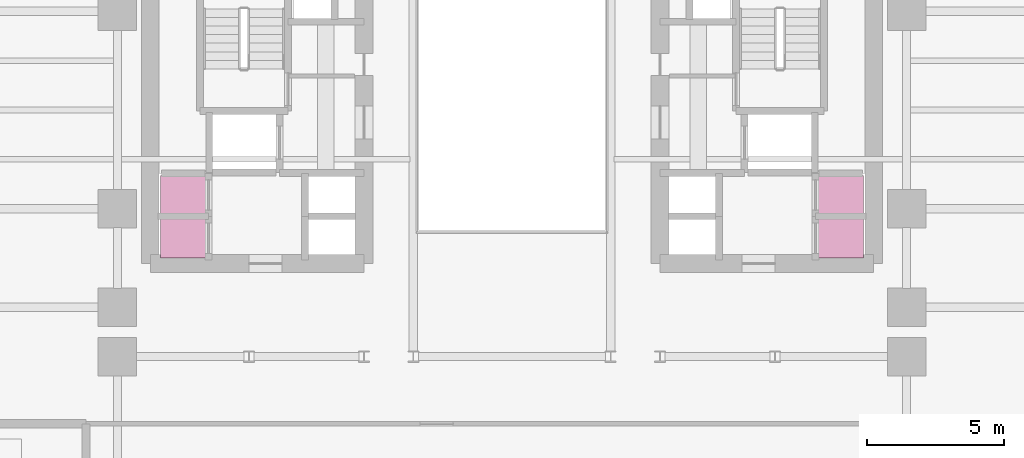
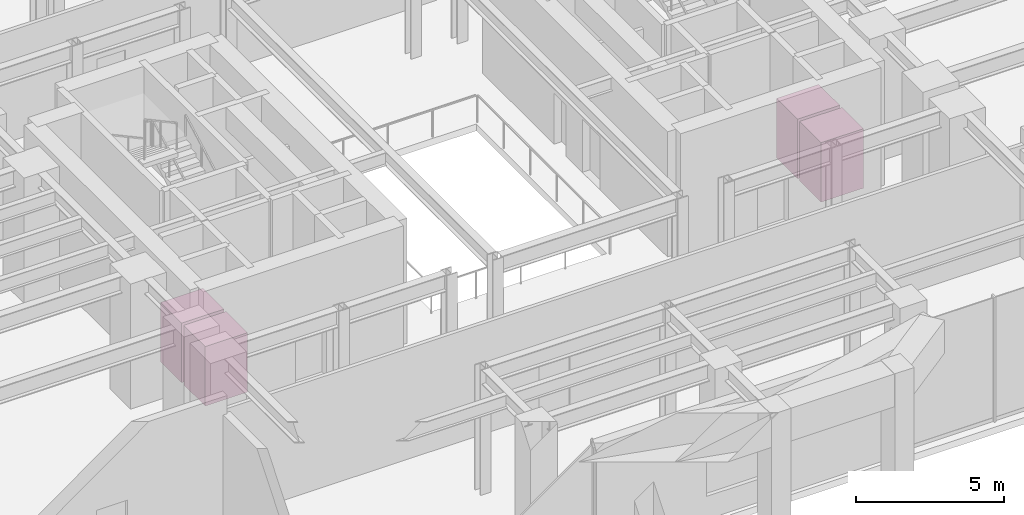
# One storey, part 16 of 16: 4 transport elements.
"""IFC4 building model written with IfcOpenShell, lengths in metres."""

from ifc_helpers import new_model, si_unit, direction, frame, origin, origin_2d, place, context, subcontext, project, spatial, rectangle, extrude, source, transform, mapped, material, type_object, element, save


model = new_model("IFC4")

# Units and contexts
model_context = context("Model", 3, precision=1e-05, world=origin(), true_north=direction((0.0, 1.0)))
body_context = subcontext(model_context, "Body", "Model", "MODEL_VIEW")
ifc_project = project(units=[si_unit("LENGTHUNIT", "METRE"), si_unit("AREAUNIT", "SQUARE_METRE"), si_unit("VOLUMEUNIT", "CUBIC_METRE"), si_unit("PLANEANGLEUNIT", "RADIAN"), si_unit("MASSUNIT", "GRAM", prefix="KILO")], contexts=[model_context])

# Site, building, storey
site_placement = place(None, origin())
site = spatial("IfcSite", under=ifc_project, at=site_placement, CompositionType="ELEMENT")
building_placement = place(site_placement, origin())
building = spatial("IfcBuilding", under=site, at=building_placement, Name="Keilestroom Media Tower", CompositionType="ELEMENT")
storey_placement = place(building_placement, frame((0.0, 0.0, 10.199951171875)))
storey = spatial("IfcBuildingStorey", under=building, at=storey_placement, Name="L02", CompositionType="ELEMENT", Elevation=10.199951171875)

# Transport elements
ifc_material = material(Name="Stainless Steel Lift Cabin", Category="steel")
transport_element_type = type_object("IfcTransportElementType", Name="Passenger-Lift-Car-PAX-2100", PredefinedType="ELEVATOR", material=ifc_material)
shared_shape_1 = source(origin(), body_context, "Body", "SweptSolid", [
    extrude(rectangle(XDim=1.64990234375, YDim=1.449951171875, at=origin_2d()), origin(), (0.0, 0.0, 1.0), 2.449951171875),
])
for number, where, z_axis, x_axis, name in (
    (1, (-12.0, -4.679931640625, 0.0), (0.0, 0.0, 1.0), (1.0, 0.0, 0.0), "Passenger Lift PL-L1"),
    (2, (12.0, -4.679931640625, 0.0), (0.0, 0.0, 1.0), (1.0, 0.0, 0.0), "Passenger Lift PL-L3"),
):
    element("IfcTransportElement", number, at=place(storey_placement, frame(where, z_axis=z_axis, x_axis=x_axis)), inside=storey, type_object=transport_element_type, Name=name, PredefinedType="ELEVATOR", context=body_context, shape_type="MappedRepresentation", body=[
        mapped(shared_shape_1, transform((0.0, 0.0, 0.0), x_axis=(1.0, 0.0, 0.0), y_axis=(0.0, 1.0, 0.0), z_axis=(0.0, 0.0, 1.0), scale=1.0)),
    ])
shared_shape_2 = source(origin(), body_context, "Body", "SweptSolid", [
    extrude(rectangle(XDim=1.64990234375, YDim=1.419921875, at=origin_2d()), origin(), (0.0, 0.0, 1.0), 2.449951171875),
])
for number, where, z_axis, x_axis, name in (
    (3, (-12.0, -3.10009765625, 0.0), (0.0, 0.0, 1.0), (1.0, 0.0, 0.0), "Passenger Lift PL-L2"),
    (4, (12.0, -3.10009765625, 0.0), (0.0, 0.0, 1.0), (1.0, 0.0, 0.0), "Passenger Lift PL-L4"),
):
    element("IfcTransportElement", number, at=place(storey_placement, frame(where, z_axis=z_axis, x_axis=x_axis)), inside=storey, type_object=transport_element_type, Name=name, PredefinedType="ELEVATOR", context=body_context, shape_type="MappedRepresentation", body=[
        mapped(shared_shape_2, transform((0.0, 0.0, 0.0), x_axis=(1.0, 0.0, 0.0), y_axis=(0.0, 1.0, 0.0), z_axis=(0.0, 0.0, 1.0), scale=1.0)),
    ])

save(model, "model.ifc")
